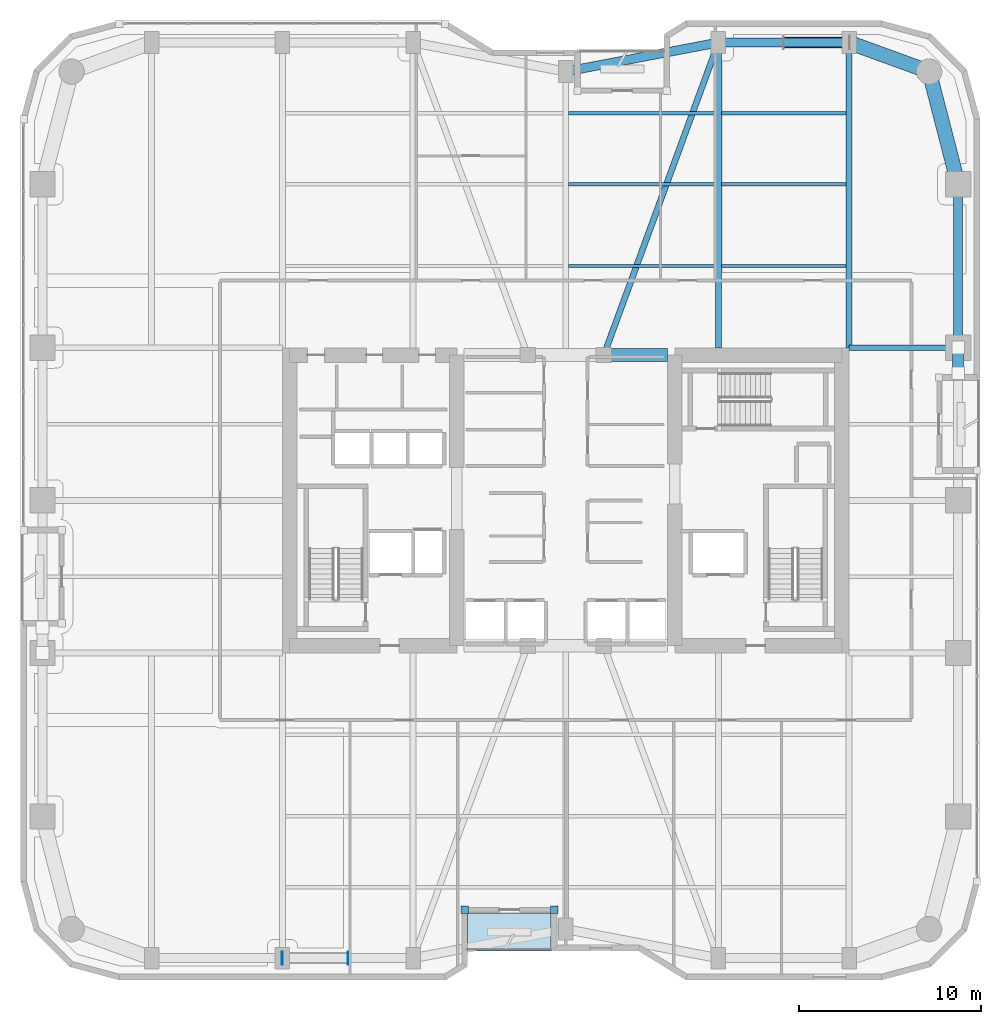
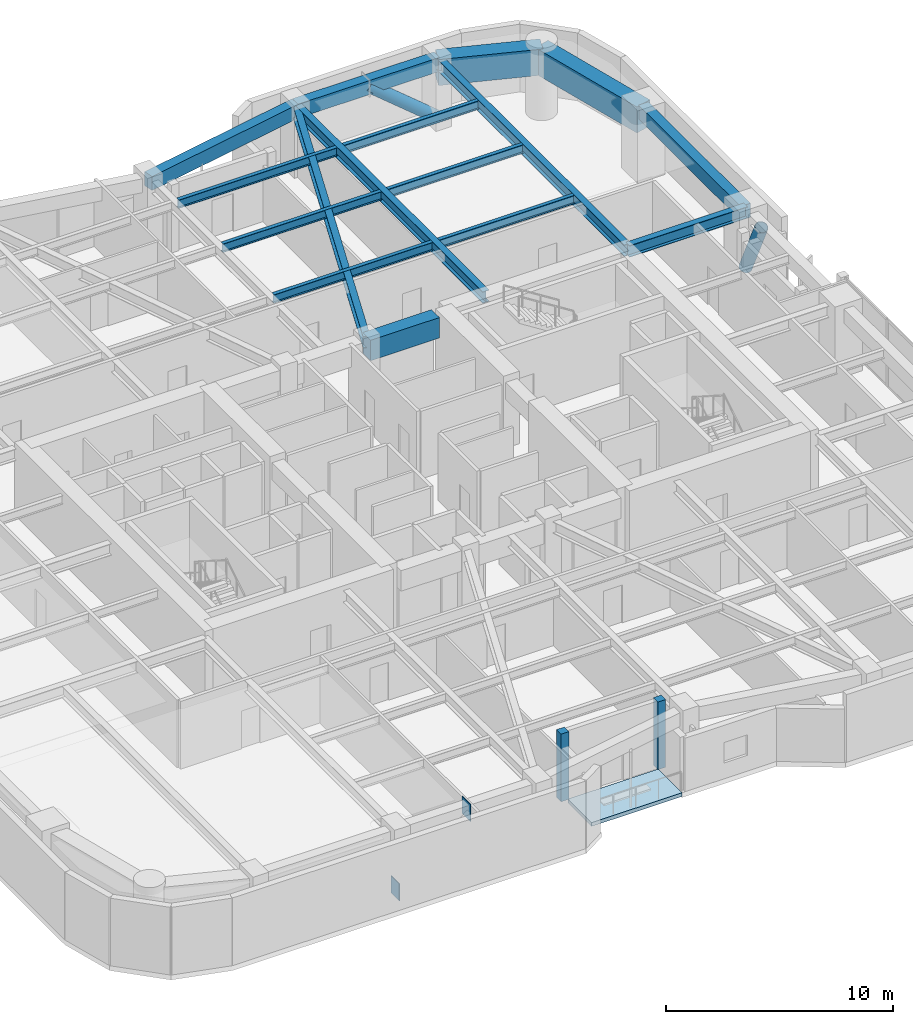
# One storey, part 15 of 24: 16 beams, 4 plates, 2 members, 1 slab.
"""IFC4 building model written with IfcOpenShell, lengths in metres."""

from ifc_helpers import new_model, si_unit, direction, frame, origin, origin_2d, place, context, subcontext, project, spatial, polyline, rectangle, hollow_circle, i_section, outline, extrude, material, layer, layer_set, material_profile, profile_set, type_object, element, save


model = new_model("IFC4")

# Units and contexts
model_context = context("Model", 3, precision=1e-05, world=origin(), true_north=direction((0.0, 1.0)))
body_context = subcontext(model_context, "Body", "Model", "MODEL_VIEW")
ifc_project = project(units=[si_unit("LENGTHUNIT", "METRE"), si_unit("AREAUNIT", "SQUARE_METRE"), si_unit("VOLUMEUNIT", "CUBIC_METRE"), si_unit("PLANEANGLEUNIT", "RADIAN"), si_unit("MASSUNIT", "GRAM", prefix="KILO")], contexts=[model_context])

# Site, building, storey
site_placement = place(None, origin())
site = spatial("IfcSite", under=ifc_project, at=site_placement, CompositionType="ELEMENT")
building_placement = place(site_placement, origin())
building = spatial("IfcBuilding", under=site, at=building_placement, Name="Kiyonajd Concourse Tower", CompositionType="ELEMENT")
storey_placement = place(building_placement, frame((0.0, 0.0, 105.300048828125)))
storey = spatial("IfcBuildingStorey", under=building, at=storey_placement, Name="L27", CompositionType="ELEMENT", Elevation=105.300048828125)

# Beams
ifc_material_1 = material(Name="Concrete C70/85", Category="concrete")
ifc_material_profile_1 = material_profile(ifc_material_1, rectangle(XDim=0.699951171875, YDim=1.10009765625, at=origin_2d()), Name="RCBM-700x1100")
ifc_profile_set_1 = profile_set([ifc_material_profile_1], Name="Concrete C70/85")
beam_type_1 = type_object("IfcBeamType", Name="BM-COUP-1100", PredefinedType="LINTEL", material=ifc_profile_set_1)
beam_1_placement = place(storey_placement, frame((50.10009765625, 44.0, 3.08984375), z_axis=(1.0, 0.0, 0.0), x_axis=(0.0, 1.0, 0.0)))
element("IfcBeam", 1, at=beam_1_placement, inside=storey, type_object=beam_type_1, Name="L27 Core Coupling Beam N3", PredefinedType="LINTEL", context=body_context, shape_type="SweptSolid", body=[
    extrude(rectangle(XDim=0.699951171875, YDim=1.10009765625, at=origin_2d()), origin(), (0.0, 0.0, 1.0), 3.5),
])
ifc_material_2 = material(Name="Steel ASTM A992 Grade 50", Category="steel")
ifc_material_profile_2 = material_profile(ifc_material_2, i_section(OverallWidth=0.19189453125, OverallDepth=0.462890625, WebThickness=0.010498046875, FlangeThickness=0.017578125, at=origin_2d()), Name="W460X89")
ifc_profile_set_2 = profile_set([ifc_material_profile_2], Name="Steel ASTM A992 Grade 50")
beam_type_2 = type_object("IfcBeamType", Name="BM-JST-460B", PredefinedType="JOIST", material=ifc_profile_set_2)
beam_2_placement = place(storey_placement, frame((48.16357421875, 48.89990234375, 3.408447265625), z_axis=(1.0, 0.0, 0.0), x_axis=(0.0, 1.0, 0.0)))
element("IfcBeam", 2, at=beam_2_placement, inside=storey, type_object=beam_type_2, Name="L27 Secondary Floor Joist", PredefinedType="JOIST", context=body_context, shape_type="SweptSolid", body=[
    extrude(i_section(OverallWidth=0.19189453125, OverallDepth=0.462890625, WebThickness=0.010498046875, FlangeThickness=0.017578125, at=origin_2d()), origin(), (0.0, 0.0, 1.0), 8.072998046875),
])
beam_3_placement = place(storey_placement, frame((56.5634765625, 48.89990234375, 3.408447265625), z_axis=(1.0, 0.0, 0.0), x_axis=(0.0, 1.0, 0.0)))
element("IfcBeam", 3, at=beam_3_placement, inside=storey, type_object=beam_type_2, Name="L27 Secondary Floor Joist", PredefinedType="JOIST", context=body_context, shape_type="SweptSolid", body=[
    extrude(i_section(OverallWidth=0.19189453125, OverallDepth=0.462890625, WebThickness=0.010498046875, FlangeThickness=0.017578125, at=origin_2d()), origin(), (0.0, 0.0, 1.0), 6.873046875),
])
beam_4_placement = place(storey_placement, frame((48.16357421875, 53.39990234375, 3.408447265625), z_axis=(1.0, 0.0, 0.0), x_axis=(0.0, 1.0, 0.0)))
element("IfcBeam", 4, at=beam_4_placement, inside=storey, type_object=beam_type_2, Name="L27 Secondary Floor Joist", PredefinedType="JOIST", context=body_context, shape_type="SweptSolid", body=[
    extrude(i_section(OverallWidth=0.19189453125, OverallDepth=0.462890625, WebThickness=0.010498046875, FlangeThickness=0.017578125, at=origin_2d()), origin(), (0.0, 0.0, 1.0), 8.072998046875),
])
beam_5_placement = place(storey_placement, frame((56.5634765625, 53.39990234375, 3.408447265625), z_axis=(1.0, 0.0, 0.0), x_axis=(0.0, 1.0, 0.0)))
element("IfcBeam", 5, at=beam_5_placement, inside=storey, type_object=beam_type_2, Name="L27 Secondary Floor Joist", PredefinedType="JOIST", context=body_context, shape_type="SweptSolid", body=[
    extrude(i_section(OverallWidth=0.19189453125, OverallDepth=0.462890625, WebThickness=0.010498046875, FlangeThickness=0.017578125, at=origin_2d()), origin(), (0.0, 0.0, 1.0), 6.873046875),
])
beam_6_placement = place(storey_placement, frame((48.16357421875, 57.300048828125, 3.408447265625), z_axis=(1.0, 0.0, 0.0), x_axis=(0.0, 1.0, 0.0)))
element("IfcBeam", 6, at=beam_6_placement, inside=storey, type_object=beam_type_2, Name="L27 Secondary Floor Joist", PredefinedType="JOIST", context=body_context, shape_type="SweptSolid", body=[
    extrude(i_section(OverallWidth=0.19189453125, OverallDepth=0.462890625, WebThickness=0.010498046875, FlangeThickness=0.017578125, at=origin_2d()), origin(), (0.0, 0.0, 1.0), 8.072998046875),
])
beam_7_placement = place(storey_placement, frame((56.5634765625, 57.300048828125, 3.408447265625), z_axis=(1.0, 0.0, 0.0), x_axis=(0.0, 1.0, 0.0)))
element("IfcBeam", 7, at=beam_7_placement, inside=storey, type_object=beam_type_2, Name="L27 Secondary Floor Joist", PredefinedType="JOIST", context=body_context, shape_type="SweptSolid", body=[
    extrude(i_section(OverallWidth=0.19189453125, OverallDepth=0.462890625, WebThickness=0.010498046875, FlangeThickness=0.017578125, at=origin_2d()), origin(), (0.0, 0.0, 1.0), 6.873046875),
])
ifc_material_3 = material(Name="Precast concrete C50/60", Category="concrete")
ifc_material_profile_3 = material_profile(ifc_material_3, rectangle(XDim=0.5, YDim=0.75, at=origin_2d()), Name="RCBM-500x750")
ifc_profile_set_3 = profile_set([ifc_material_profile_3], Name="Precast concrete C50/60")
beam_type_3 = type_object("IfcBeamType", Name="BM-SPAN-RC", PredefinedType="SPANDREL", material=ifc_profile_set_3)
beam_8_placement = place(storey_placement, frame((69.60009765625, 44.39990234375, 3.264892578125), z_axis=(0.0, 1.0, 0.0), x_axis=(-1.0, 0.0, 0.0)))
element("IfcBeam", 8, at=beam_8_placement, inside=storey, type_object=beam_type_3, Name="L27 Perimeter Bundled Tube Spandrel", PredefinedType="SPANDREL", context=body_context, shape_type="SweptSolid", body=[
    extrude(rectangle(XDim=0.5, YDim=0.75, at=origin_2d()), origin(), (0.0, 0.0, 1.0), 9.0),
])
beam_9_placement = place(storey_placement, frame((63.60009765625, 61.199951171875, 3.264892578125), z_axis=(-1.0, 0.0, 0.0), x_axis=(0.0, -1.0, 0.0)))
element("IfcBeam", 9, at=beam_9_placement, inside=storey, type_object=beam_type_3, Name="L27 Perimeter Bundled Tube Spandrel", PredefinedType="SPANDREL", context=body_context, shape_type="SweptSolid", body=[
    extrude(rectangle(XDim=0.5, YDim=0.75, at=origin_2d()), origin(), (0.0, 0.0, 1.0), 7.2001953125),
])
beam_10_placement = place(storey_placement, frame((56.39990234375, 61.199951171875, 3.264892578125), z_axis=(-0.982341315253, -0.187097675953, 0.0), x_axis=(0.187097675953, -0.982341315253, 0.0)))
element("IfcBeam", 10, at=beam_10_placement, inside=storey, type_object=beam_type_3, Name="L27 Perimeter Bundled Tube Spandrel", PredefinedType="SPANDREL", context=body_context, shape_type="SweptSolid", body=[
    extrude(rectangle(XDim=0.5, YDim=0.75, at=origin_2d()), origin(), (0.0, 0.0, 1.0), 8.55078125),
])
ifc_material_profile_4 = material_profile(ifc_material_2, i_section(OverallWidth=0.326904296875, OverallDepth=0.6220703125, WebThickness=0.015380859375, FlangeThickness=0.0244140625, at=origin_2d()), Name="W610X195")
ifc_profile_set_4 = profile_set([ifc_material_profile_4], Name="Steel ASTM A992 Grade 50")
beam_type_4 = type_object("IfcBeamType", Name="BM-TWR-610A", PredefinedType="BEAM", material=ifc_profile_set_4)
beam_11_placement = place(storey_placement, frame((50.10009765625, 44.0, 3.328857421875), z_axis=(0.343925269715, 0.938997022813, 0.0), x_axis=(-0.938997022813, 0.343925269715, 0.0)))
element("IfcBeam", 11, at=beam_11_placement, inside=storey, type_object=beam_type_4, Name="L27 Core Tie Girder", PredefinedType="BEAM", context=body_context, shape_type="SweptSolid", body=[
    extrude(i_section(OverallWidth=0.326904296875, OverallDepth=0.6220703125, WebThickness=0.015380859375, FlangeThickness=0.0244140625, at=origin_2d()), origin(), (0.0, 0.0, 1.0), 18.3173828125),
])
for number, where, z_axis, x_axis, name in (
    (12, (56.39990234375, 44.39990234375, 3.328857421875), (0.0, 1.0, 0.0), (-1.0, 0.0, 0.0), "L27 North Lease Girder"),
    (13, (63.60009765625, 44.39990234375, 3.328857421875), (0.0, 1.0, 0.0), (-1.0, 0.0, 0.0), "L27 North Lease Girder"),
):
    element("IfcBeam", number, at=place(storey_placement, frame(where, z_axis=z_axis, x_axis=x_axis)), inside=storey, type_object=beam_type_4, Name=name, PredefinedType="BEAM", context=body_context, shape_type="SweptSolid", body=[
        extrude(i_section(OverallWidth=0.326904296875, OverallDepth=0.6220703125, WebThickness=0.015380859375, FlangeThickness=0.0244140625, at=origin_2d()), origin(), (0.0, 0.0, 1.0), 16.800048828125),
    ])
beam_12_placement = place(storey_placement, frame((63.60009765625, 44.39990234375, 3.328857421875), z_axis=(1.0, 0.0, 0.0), x_axis=(0.0, 1.0, 0.0)))
element("IfcBeam", 14, at=beam_12_placement, inside=storey, type_object=beam_type_4, Name="L27 East Lease Girder", PredefinedType="BEAM", context=body_context, shape_type="SweptSolid", body=[
    extrude(i_section(OverallWidth=0.326904296875, OverallDepth=0.6220703125, WebThickness=0.015380859375, FlangeThickness=0.0244140625, at=origin_2d()), origin(), (0.0, 0.0, 1.0), 6.0),
])
ifc_material_4 = material(Name="Concrete C60/75", Category="concrete")
ifc_material_profile_5 = material_profile(ifc_material_4, rectangle(XDim=0.800048828125, YDim=1.39990234375, at=origin_2d()), Name="RCBM-800x1400")
ifc_profile_set_5 = profile_set([ifc_material_profile_5], Name="Concrete C60/75")
beam_type_5 = type_object("IfcBeamType", Name="BM-XFER-RC", PredefinedType="BEAM", material=ifc_profile_set_5)
beam_13_placement = place(storey_placement, frame((69.60009765625, 53.39990234375, 2.93994140625), z_axis=(-0.249884937687, 0.968275538221, 0.0), x_axis=(-0.968275538221, -0.249884937687, 0.0)))
element("IfcBeam", 15, at=beam_13_placement, inside=storey, type_object=beam_type_5, Name="L27 Perimeter Bundled Tube Spandrel", PredefinedType="BEAM", context=body_context, shape_type="SweptSolid", body=[
    extrude(rectangle(XDim=0.800048828125, YDim=1.39990234375, at=origin_2d()), origin(), (0.0, 0.0, 1.0), 6.4033203125),
])
beam_14_placement = place(storey_placement, frame((68.0, 59.60009765625, 2.93994140625), z_axis=(-0.939801036019, 0.341722127901, 0.0), x_axis=(-0.341722127901, -0.939801036019, 0.0)))
element("IfcBeam", 16, at=beam_14_placement, inside=storey, type_object=beam_type_5, Name="L27 Perimeter Bundled Tube Spandrel", PredefinedType="BEAM", context=body_context, shape_type="SweptSolid", body=[
    extrude(rectangle(XDim=0.800048828125, YDim=1.39990234375, at=origin_2d()), origin(), (0.0, 0.0, 1.0), 4.681640625),
])

# Members
ifc_material_5 = material(Name="Steel ASTM A572 Grade 50", Category="steel")
ifc_material_profile_6 = material_profile(ifc_material_5, hollow_circle(Radius=0.304931640625, WallThickness=0.02490234375, at=origin_2d()), Name="CHS-610x25")
ifc_profile_set_6 = profile_set([ifc_material_profile_6], Name="Steel ASTM A572 Grade 50")
member_type = type_object("IfcMemberType", Name="MB-PB-LOW", PredefinedType="BRACE", material=ifc_profile_set_6)
member_1_placement = place(storey_placement, frame((63.60009765625, 61.199951171875, 0.300048828125), z_axis=(-0.769280705518, 0.0, 0.638910945373), x_axis=(0.0, -1.0, 0.0)))
element("IfcMember", 17, at=member_1_placement, inside=storey, type_object=member_type, Name="L27 Lower Zone Welded Tube Brace PBN", PredefinedType="BRACE", context=body_context, shape_type="SweptSolid", body=[
    extrude(hollow_circle(Radius=0.304931640625, WallThickness=0.02490234375, at=origin_2d()), origin(), (0.0, 0.0, 1.0), 4.679931640625),
])
member_2_placement = place(storey_placement, frame((69.60009765625, 44.39990234375, 0.300048828125), z_axis=(0.0, -0.424022702926, 0.905651559598), x_axis=(1.0, 0.0, 0.0)))
element("IfcMember", 18, at=member_2_placement, inside=storey, type_object=member_type, Name="L27 Lower Zone Welded Tube Brace PBE", PredefinedType="BRACE", context=body_context, shape_type="SweptSolid", body=[
    extrude(hollow_circle(Radius=0.304931640625, WallThickness=0.02490234375, at=origin_2d()), origin(), (0.0, 0.0, 1.0), 3.301513671875),
])

# Plates
ifc_layer_1 = layer(ifc_material_5, 0.028076171875)
ifc_layer_set_1 = layer_set([ifc_layer_1], Name="Steel ASTM A572 Grade 50")
plate_type_1 = type_object("IfcPlateType", Name="PL-CAP-450", PredefinedType="USERDEFINED", material=ifc_layer_set_1)
for number, where, z_axis, x_axis, name in (
    (19, (32.3916015625, 10.800048828125, -0.173583984375), (0.0, 0.0, 1.0), (-1.0, 0.0, 0.0), "L27 Hollow Brace End Cap Plate PBS"),
    (20, (36.008544921875, 10.800048828125, 2.830322265625), (0.0, 0.0, 1.0), (1.0, 0.0, 0.0), "L27 Hollow Brace Top Cap Plate PBS"),
):
    element("IfcPlate", number, at=place(storey_placement, frame(where, z_axis=z_axis, x_axis=x_axis)), inside=storey, type_object=plate_type_1, Name=name, ObjectType="CAP PLATE", PredefinedType="USERDEFINED", context=body_context, shape_type="SweptSolid", body=[
        extrude(rectangle(XDim=0.035888671875, YDim=0.72998046875, at=origin_2d()), origin(), (0.0, 0.0, 1.0), 0.93310546875),
    ])
ifc_material_6 = material(Name="Thermally Broken Anodised Aluminium", Category="aluminium")
ifc_layer_2 = layer(ifc_material_6, 0.39990234375)
ifc_layer_set_2 = layer_set([ifc_layer_2], Name="Thermally Broken Anodised Aluminium")
plate_type_2 = type_object("IfcPlateType", Name="PL-JMB-400", PredefinedType="USERDEFINED", material=ifc_layer_set_2)
for number, where, z_axis, x_axis, name in (
    (21, (47.360107421875, 13.4599609375, 0.0), (0.0, 0.0, 1.0), (1.0, 0.0, 0.0), "L27 Facade Jamb Closure Plate 13"),
    (22, (42.43994140625, 13.4599609375, 0.0), (0.0, 0.0, 1.0), (1.0, 0.0, 0.0), "L27 Facade Jamb Closure Plate 14"),
):
    element("IfcPlate", number, at=place(storey_placement, frame(where, z_axis=z_axis, x_axis=x_axis)), inside=storey, type_object=plate_type_2, Name=name, ObjectType="JAMB PLATE", PredefinedType="USERDEFINED", context=body_context, shape_type="SweptSolid", body=[
        extrude(rectangle(XDim=0.39990234375, YDim=0.39990234375, at=origin_2d()), origin(), (0.0, 0.0, 1.0), 3.639892578125),
    ])

# Slab
ifc_layer_3 = layer(ifc_material_3, 0.199951171875)
ifc_layer_set_3 = layer_set([ifc_layer_3], Name="Precast concrete C50/60")
slab_type = type_object("IfcSlabType", Name="SL-LOG-200", PredefinedType="FLOOR", material=ifc_layer_set_3)
slab_placement = place(storey_placement, frame((0.0, 0.0, -0.199951171875)))
element("IfcSlab", 23, at=slab_placement, inside=storey, type_object=slab_type, Name="L27 Recessed Engawa Loggia Terrace Slab LOG-S", PredefinedType="FLOOR", context=body_context, shape_type="SweptSolid", body=[
    extrude(outline(polyline([(42.60009765625, 11.199951171875), (47.199951171875, 11.199951171875), (47.199951171875, 13.300048828125), (42.60009765625, 13.300048828125), (42.60009765625, 11.199951171875)])), origin(), (0.0, 0.0, 1.0), 0.199951171875),
])

save(model, "model.ifc")
